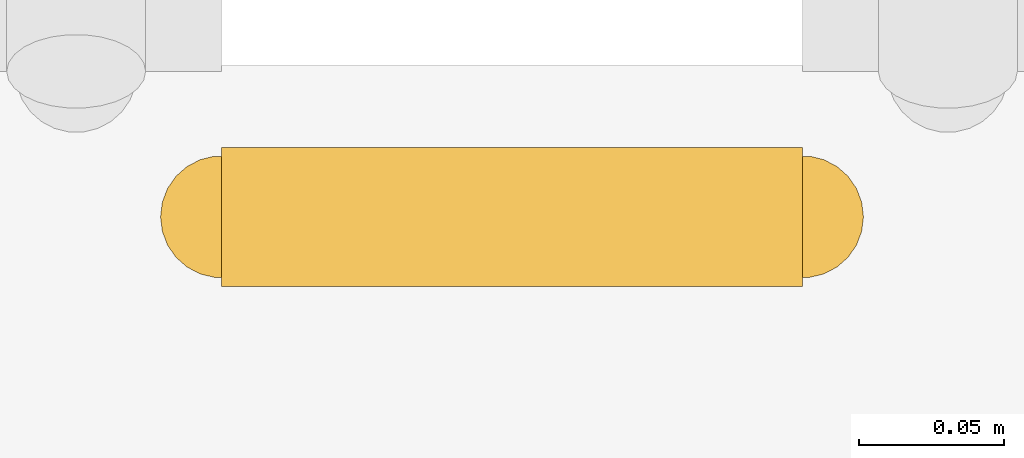
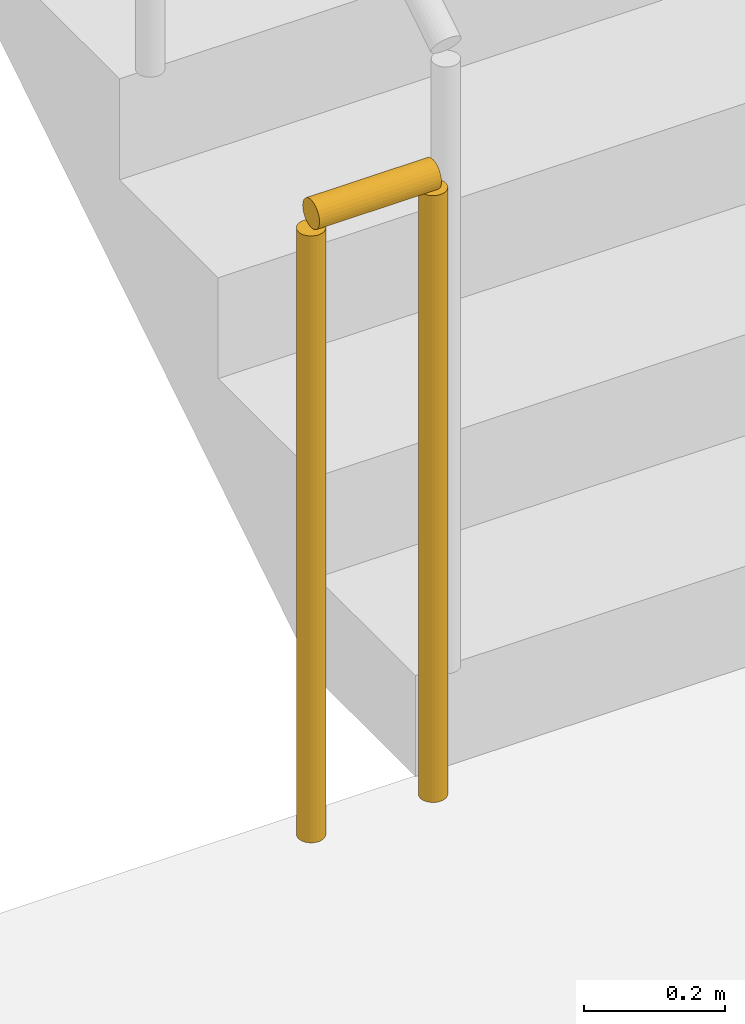
# One storey, part 11 of 21: 1 railing.
"""IFC4 building model written with IfcOpenShell, lengths in metres."""

from ifc_helpers import new_model, si_unit, direction, frame, origin, origin_2d, place, context, subcontext, project, spatial, circle, extrude, material, type_object, element, save


model = new_model("IFC4")

# Units and contexts
model_context = context("Model", 3, precision=1e-05, world=origin(), true_north=direction((0.0, 1.0)))
body_context = subcontext(model_context, "Body", "Model", "MODEL_VIEW")
ifc_project = project(units=[si_unit("LENGTHUNIT", "METRE"), si_unit("AREAUNIT", "SQUARE_METRE"), si_unit("VOLUMEUNIT", "CUBIC_METRE"), si_unit("PLANEANGLEUNIT", "RADIAN"), si_unit("MASSUNIT", "GRAM", prefix="KILO")], contexts=[model_context])

# Site, building, storey
site_placement = place(None, origin())
site = spatial("IfcSite", under=ifc_project, at=site_placement, CompositionType="ELEMENT")
building_placement = place(site_placement, origin())
building = spatial("IfcBuilding", under=site, at=building_placement, Name="Kiln Ring Residences", CompositionType="ELEMENT")
storey_placement = place(building_placement, frame((0.0, 0.0, 48.0)))
storey = spatial("IfcBuildingStorey", under=building, at=storey_placement, Name="L11", CompositionType="ELEMENT", Elevation=48.0)

# Railing
ifc_material = material(Name="Stainless steel", Category="steel")
railing_type = type_object("IfcRailingType", Name="CORE-STAIR-GUARD", PredefinedType="GUARDRAIL", material=ifc_material)
railing_placement = place(storey_placement, frame((-22.0, -8.449951171875, 0.0)))
element("IfcRailing", 1, at=railing_placement, inside=storey, type_object=railing_type, Name="L11 W-STS stair guard 4", PredefinedType="GUARDRAIL", context=body_context, shape_type="SweptSolid", body=[
    extrude(circle(Radius=0.02392578125, at=origin_2d()), frame((0.0, 0.0, 1.076171875), z_axis=(-1.0, 0.0, 0.0), x_axis=(0.0, -1.0, 0.0)), (0.0, 0.0, 1.0), 0.199951171875),
    extrude(circle(Radius=0.02099609375, at=origin_2d()), origin(), (0.0, 0.0, 1.0), 1.052001953125),
    extrude(circle(Radius=0.02099609375, at=origin_2d()), frame((-0.199951171875, 0.0, 0.0)), (0.0, 0.0, 1.0), 1.052001953125),
])

save(model, "model.ifc")
